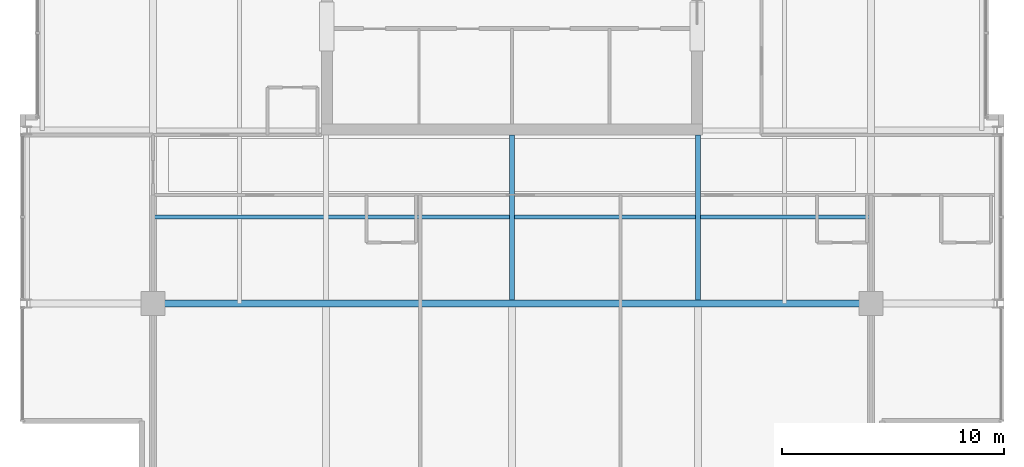
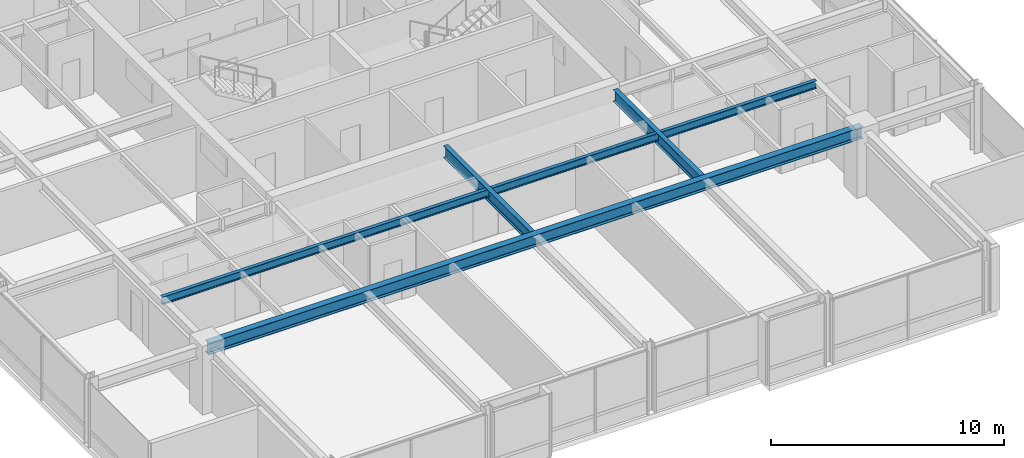
# One storey, part 7 of 30: 4 beams.
"""IFC4 building model written with IfcOpenShell, lengths in metres."""

from ifc_helpers import new_model, si_unit, direction, frame, origin, origin_2d, place, context, subcontext, project, spatial, i_section, extrude, material, material_profile, profile_set, type_object, element, save


model = new_model("IFC4")

# Units and contexts
model_context = context("Model", 3, precision=1e-05, world=origin(), true_north=direction((0.0, 1.0)))
body_context = subcontext(model_context, "Body", "Model", "MODEL_VIEW")
ifc_project = project(units=[si_unit("LENGTHUNIT", "METRE"), si_unit("AREAUNIT", "SQUARE_METRE"), si_unit("VOLUMEUNIT", "CUBIC_METRE"), si_unit("PLANEANGLEUNIT", "RADIAN"), si_unit("MASSUNIT", "GRAM", prefix="KILO")], contexts=[model_context])

# Site, building, storey
site_placement = place(None, origin())
site = spatial("IfcSite", under=ifc_project, at=site_placement, CompositionType="ELEMENT")
building_placement = place(site_placement, origin())
building = spatial("IfcBuilding", under=site, at=building_placement, Name="Drelvath Grand Hotel", CompositionType="ELEMENT")
storey_placement = place(building_placement, frame((0.0, 0.0, 215.89990234375)))
storey = spatial("IfcBuildingStorey", under=building, at=storey_placement, Name="L56", CompositionType="ELEMENT", Elevation=215.89990234375)

# Beams
ifc_material = material(Name="Steel ASTM A992 Gr 50", Category="steel")
ifc_material_profile_1 = material_profile(ifc_material, i_section(OverallWidth=0.177734375, OverallDepth=0.40673828125, WebThickness=0.0078125, FlangeThickness=0.0126953125, FilletRadius=0.014892578125, at=origin_2d()), Name="W16X40")
ifc_profile_set_1 = profile_set([ifc_material_profile_1], Name="Steel ASTM A992 Gr 50")
beam_type_1 = type_object("IfcBeamType", Name="Composite Floor Joist W16X40", PredefinedType="JOIST", material=ifc_profile_set_1)
beam_1_placement = place(storey_placement, frame((-16.199951171875, 14.699951171875, 3.13671875), z_axis=(1.0, 0.0, 0.0), x_axis=(0.0, 1.0, 0.0)))
element("IfcBeam", 1, at=beam_1_placement, inside=storey, type_object=beam_type_1, Name="L56 Floor Joist J1", PredefinedType="JOIST", context=body_context, shape_type="SweptSolid", body=[
    extrude(i_section(OverallWidth=0.177734375, OverallDepth=0.40673828125, WebThickness=0.0078125, FlangeThickness=0.0126953125, FilletRadius=0.014892578125, at=origin_2d()), origin(), (0.0, 0.0, 1.0), 32.39990234375),
])
ifc_material_profile_2 = material_profile(ifc_material, i_section(OverallWidth=0.323974609375, OverallDepth=0.611083984375, WebThickness=0.0126953125, FlangeThickness=0.01904296875, FilletRadius=0.02197265625, at=origin_2d()), Name="W24X104")
ifc_profile_set_2 = profile_set([ifc_material_profile_2], Name="Steel ASTM A992 Gr 50")
beam_type_2 = type_object("IfcBeamType", Name="Primary Floor Girder W24X104", PredefinedType="BEAM", material=ifc_profile_set_2)
beam_2_placement = place(storey_placement, frame((-16.199951171875, 10.800048828125, 3.034423828125), z_axis=(1.0, 0.0, 0.0), x_axis=(0.0, 1.0, 0.0)))
element("IfcBeam", 2, at=beam_2_placement, inside=storey, type_object=beam_type_2, Name="L56 Mega Ring Girder South", PredefinedType="BEAM", context=body_context, shape_type="SweptSolid", body=[
    extrude(i_section(OverallWidth=0.323974609375, OverallDepth=0.611083984375, WebThickness=0.0126953125, FlangeThickness=0.01904296875, FilletRadius=0.02197265625, at=origin_2d()), origin(), (0.0, 0.0, 1.0), 32.39990234375),
])
ifc_material_profile_3 = material_profile(ifc_material, i_section(OverallWidth=0.228271484375, OverallDepth=0.607666015625, WebThickness=0.01123046875, FlangeThickness=0.017333984375, FilletRadius=0.02001953125, at=origin_2d()), Name="W24X76")
ifc_profile_set_3 = profile_set([ifc_material_profile_3], Name="Steel ASTM A992 Gr 50")
beam_type_3 = type_object("IfcBeamType", Name="Primary Floor Girder W24X76", PredefinedType="BEAM", material=ifc_profile_set_3)
for number, where, z_axis, x_axis, name in (
    (3, (0.0, 10.9619140625, 3.036376953125), (0.0, 1.0, 0.0), (-1.0, 0.0, 0.0), "L56 South Core Tie 5"),
    (4, (8.39990234375, 10.9619140625, 3.036376953125), (0.0, 1.0, 0.0), (-1.0, 0.0, 0.0), "L56 South Core Tie 6"),
):
    element("IfcBeam", number, at=place(storey_placement, frame(where, z_axis=z_axis, x_axis=x_axis)), inside=storey, type_object=beam_type_3, Name=name, PredefinedType="BEAM", context=body_context, shape_type="SweptSolid", body=[
        extrude(i_section(OverallWidth=0.228271484375, OverallDepth=0.607666015625, WebThickness=0.01123046875, FlangeThickness=0.017333984375, FilletRadius=0.02001953125, at=origin_2d()), origin(), (0.0, 0.0, 1.0), 7.43798828125),
    ])

save(model, "model.ifc")
